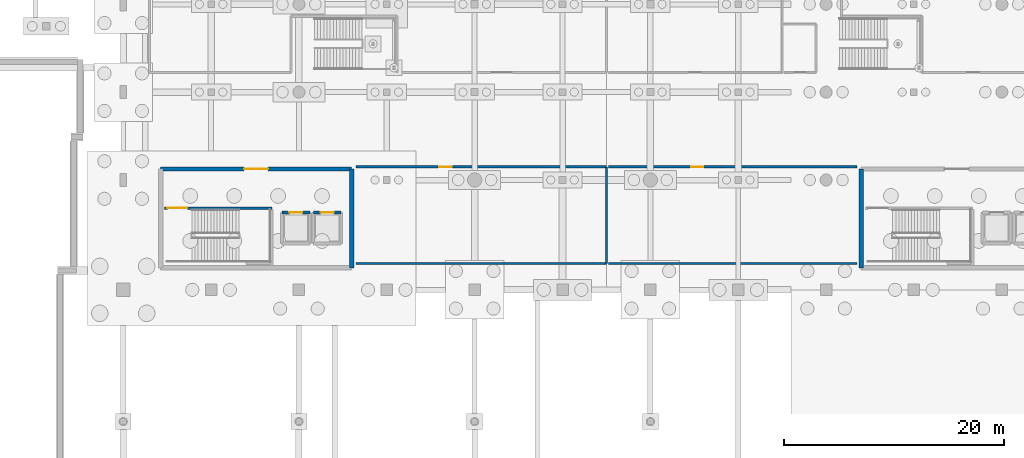
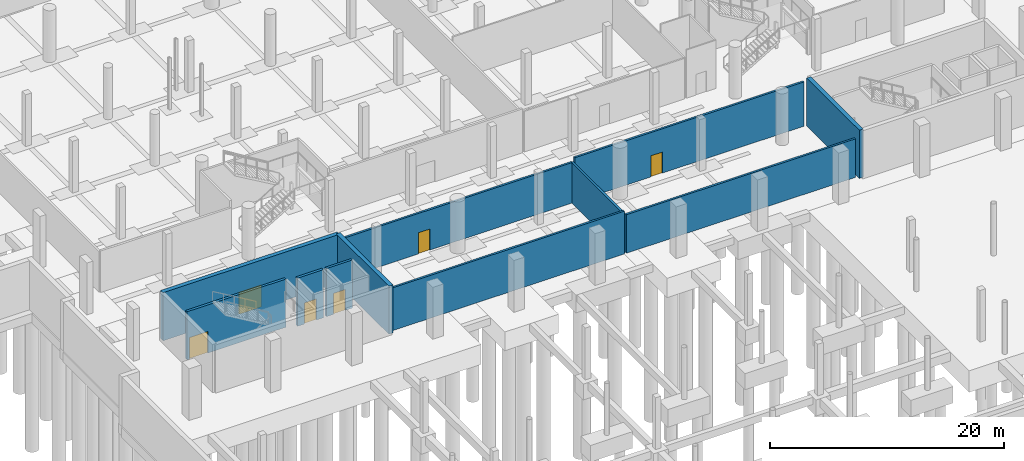
# One storey, part 49 of 65: 11 walls, 6 doors, 6 openings.
"""IFC4 building model written with IfcOpenShell, lengths in metres."""

from ifc_helpers import new_model, si_unit, direction, frame, frame_2d, origin, place, context, subcontext, project, spatial, rectangle, extrude, material, layer, layer_set, type_object, element, fill, save


model = new_model("IFC4")

# Units and contexts
model_context = context("Model", 3, precision=1e-05, world=origin(), true_north=direction((0.0, 1.0)))
body_context = subcontext(model_context, "Body", "Model", "MODEL_VIEW")
ifc_project = project(units=[si_unit("LENGTHUNIT", "METRE"), si_unit("AREAUNIT", "SQUARE_METRE"), si_unit("VOLUMEUNIT", "CUBIC_METRE"), si_unit("PLANEANGLEUNIT", "RADIAN"), si_unit("MASSUNIT", "GRAM", prefix="KILO")], contexts=[model_context])

# Site, building, storey
site_placement = place(None, origin())
site = spatial("IfcSite", under=ifc_project, at=site_placement, CompositionType="ELEMENT")
building_placement = place(site_placement, origin())
building = spatial("IfcBuilding", under=site, at=building_placement, Name="Khorjan Park Terminus", CompositionType="ELEMENT")
storey_placement = place(building_placement, frame((0.0, 0.0, -5.4)))
storey = spatial("IfcBuildingStorey", under=building, at=storey_placement, Name="B1", CompositionType="ELEMENT", Elevation=-5.4)

# Wall
ifc_material_1 = material(Name="Concrete C50/60", Category="concrete")
ifc_layer_1 = layer(ifc_material_1, 0.4)
ifc_layer_set_1 = layer_set([ifc_layer_1], Name="Concrete C50/60")
wall_type_1 = type_object("IfcWallType", Name="CW-40", PredefinedType="SHEAR", material=ifc_layer_set_1)
wall_1_placement = place(storey_placement, frame((68.8, 28.0, 0.0), z_axis=(0.0, 0.0, 1.0), x_axis=(0.0, 1.0, 0.0)))
element("IfcWall", 1, at=wall_1_placement, inside=storey, type_object=wall_type_1, Name="West Concourse Core concrete shear wall CW-40 (B1-E2)", PredefinedType="SHEAR", context=body_context, shape_type="SweptSolid", body=[
    extrude(rectangle(XDim=9.0, YDim=0.4, at=frame_2d((4.5, 0.0))), origin(), (0.0, 0.0, 1.0), 5.02),
])

# Wall, opening, door
wall_2_placement = place(storey_placement, frame((68.8, 37.0, 0.0), z_axis=(0.0, 0.0, 1.0), x_axis=(-1.0, 0.0, 0.0)))
wall_2 = element("IfcWall", 2, at=wall_2_placement, inside=storey, type_object=wall_type_1, Name="West Concourse Core concrete shear wall CW-40 (B1-E3)", PredefinedType="SHEAR", context=body_context, shape_type="SweptSolid", body=[
    extrude(rectangle(XDim=17.4, YDim=0.4, at=frame_2d((8.7, 0.0))), origin(), (0.0, 0.0, 1.0), 5.02),
])
opening_1_placement = place(wall_2_placement, frame((7.6, 0.0, 0.0)))
opening_1 = element("IfcOpeningElement", 3, at=opening_1_placement, cuts=wall_2, Name="Opening FD-22", PredefinedType="OPENING", context=body_context, shape_type="SweptSolid", body=[
    extrude(rectangle(XDim=2.2, YDim=2.3, at=frame_2d((1.1, 1.15))), frame((0.0, 0.21, 0.0), z_axis=(0.0, -1.0, 0.0), x_axis=(1.0, 0.0, 0.0)), (0.0, 0.0, 1.0), 0.42),
])
ifc_material_2 = material(Name="Fire-Rated Steel Double Door", Category="steel")
door_type_1 = type_object("IfcDoorType", Name="FD-22", OperationType="NOTDEFINED", PredefinedType="DOOR", material=ifc_material_2)
door_1_placement = place(opening_1_placement, origin())
door_1 = element("IfcDoor", 4, at=door_1_placement, inside=storey, type_object=door_type_1, Name="West Concourse Core fire-rated exit door FD-22 (B1)", OperationType="DOUBLE_DOOR_SINGLE_SWING", OverallHeight=2.3, OverallWidth=2.2, PredefinedType="DOOR", context=body_context, shape_type="SweptSolid", body=[
    extrude(rectangle(XDim=2.2, YDim=2.3, at=frame_2d((1.1, 1.15))), frame((0.0, 0.025, 0.0), z_axis=(0.0, -1.0, 0.0), x_axis=(1.0, 0.0, 0.0)), (0.0, 0.0, 1.0), 0.05),
])
fill(opening_1, door_1)

# Wall
wall_3_placement = place(storey_placement, frame((115.2, 37.0, 0.0), z_axis=(0.0, 0.0, 1.0), x_axis=(0.0, -1.0, 0.0)))
element("IfcWall", 5, at=wall_3_placement, inside=storey, type_object=wall_type_1, Name="East Concourse Core concrete shear wall CW-40 (B1-E4)", PredefinedType="SHEAR", context=body_context, shape_type="SweptSolid", body=[
    extrude(rectangle(XDim=9.0, YDim=0.4, at=frame_2d((4.5, 0.0))), origin(), (0.0, 0.0, 1.0), 5.02),
])

# Wall, opening, door
ifc_material_3 = material(Name="Fire-Rated Acoustic Masonry & Drywall", Category="masonry")
ifc_layer_2 = layer(ifc_material_3, 0.2)
ifc_layer_set_2 = layer_set([ifc_layer_2], Name="Fire-Rated Acoustic Masonry & Drywall")
wall_type_2 = type_object("IfcWallType", Name="PT-20", PredefinedType="PARTITIONING", material=ifc_layer_set_2)
wall_4_placement = place(storey_placement, frame((69.2, 37.2, 0.0), z_axis=(0.0, 0.0, 1.0), x_axis=(1.0, 0.0, 0.0)))
wall_4 = element("IfcWall", 6, at=wall_4_placement, inside=storey, type_object=wall_type_2, Name="Interior acoustic partition PT-20 (B1-PMP)", PredefinedType="PARTITIONING", context=body_context, shape_type="SweptSolid", body=[
    extrude(rectangle(XDim=22.8, YDim=0.2, at=frame_2d((11.4, 0.0))), origin(), (0.0, 0.0, 1.0), 4.215),
])
opening_2_placement = place(wall_4_placement, frame((7.595, 0.0, 0.0)))
opening_2 = element("IfcOpeningElement", 7, at=opening_2_placement, cuts=wall_4, Name="Opening FD-11", PredefinedType="OPENING", context=body_context, shape_type="SweptSolid", body=[
    extrude(rectangle(XDim=1.1, YDim=2.2, at=frame_2d((0.55, 1.1))), frame((0.0, 0.11, 0.0), z_axis=(0.0, -1.0, 0.0), x_axis=(1.0, 0.0, 0.0)), (0.0, 0.0, 1.0), 0.22),
])
ifc_material_4 = material(Name="Fire-Rated Steel Single Door", Category="steel")
door_type_2 = type_object("IfcDoorType", Name="FD-11", OperationType="NOTDEFINED", PredefinedType="DOOR", material=ifc_material_4)
door_2_placement = place(opening_2_placement, origin())
door_2 = element("IfcDoor", 8, at=door_2_placement, inside=storey, type_object=door_type_2, Name="Interior door FD-11 (B1-PMP)", OperationType="SINGLE_SWING_RIGHT", OverallHeight=2.2, OverallWidth=1.1, PredefinedType="DOOR", context=body_context, shape_type="SweptSolid", body=[
    extrude(rectangle(XDim=1.1, YDim=2.2, at=frame_2d((0.55, 1.1))), frame((0.0, 0.025, 0.0), z_axis=(0.0, -1.0, 0.0), x_axis=(1.0, 0.0, 0.0)), (0.0, 0.0, 1.0), 0.05),
])
fill(opening_2, door_2)

# Walls
wall_5_placement = place(storey_placement, frame((92.0, 37.2, 0.0), z_axis=(0.0, 0.0, 1.0), x_axis=(0.0, -1.0, 0.0)))
element("IfcWall", 9, at=wall_5_placement, inside=storey, type_object=wall_type_2, Name="Interior acoustic partition PT-20 (B1-PMP)", PredefinedType="PARTITIONING", context=body_context, shape_type="SweptSolid", body=[
    extrude(rectangle(XDim=8.8, YDim=0.2, at=frame_2d((4.4, 0.0))), origin(), (0.0, 0.0, 1.0), 4.215),
])
wall_6_placement = place(storey_placement, frame((92.0, 28.4, 0.0), z_axis=(0.0, 0.0, 1.0), x_axis=(-1.0, 0.0, 0.0)))
element("IfcWall", 10, at=wall_6_placement, inside=storey, type_object=wall_type_2, Name="Interior acoustic partition PT-20 (B1-PMP)", PredefinedType="PARTITIONING", context=body_context, shape_type="SweptSolid", body=[
    extrude(rectangle(XDim=22.8, YDim=0.2, at=frame_2d((11.4, 0.0))), origin(), (0.0, 0.0, 1.0), 4.465),
])

# Wall, opening, door
wall_7_placement = place(storey_placement, frame((92.2, 37.2, 0.0), z_axis=(0.0, 0.0, 1.0), x_axis=(1.0, 0.0, 0.0)))
wall_7 = element("IfcWall", 11, at=wall_7_placement, inside=storey, type_object=wall_type_2, Name="Interior acoustic partition PT-20 (B1-SUB)", PredefinedType="PARTITIONING", context=body_context, shape_type="SweptSolid", body=[
    extrude(rectangle(XDim=22.6, YDim=0.2, at=frame_2d((11.3, 0.0))), origin(), (0.0, 0.0, 1.0), 4.625),
])
opening_3_placement = place(wall_7_placement, frame((7.525, 0.0, 0.0)))
opening_3 = element("IfcOpeningElement", 12, at=opening_3_placement, cuts=wall_7, Name="Opening FD-11", PredefinedType="OPENING", context=body_context, shape_type="SweptSolid", body=[
    extrude(rectangle(XDim=1.1, YDim=2.2, at=frame_2d((0.55, 1.1))), frame((0.0, 0.11, 0.0), z_axis=(0.0, -1.0, 0.0), x_axis=(1.0, 0.0, 0.0)), (0.0, 0.0, 1.0), 0.22),
])
door_3_placement = place(opening_3_placement, origin())
door_3 = element("IfcDoor", 13, at=door_3_placement, inside=storey, type_object=door_type_2, Name="Interior door FD-11 (B1-SUB)", OperationType="SINGLE_SWING_LEFT", OverallHeight=2.2, OverallWidth=1.1, PredefinedType="DOOR", context=body_context, shape_type="SweptSolid", body=[
    extrude(rectangle(XDim=1.1, YDim=2.2, at=frame_2d((0.55, 1.1))), frame((0.0, 0.025, 0.0), z_axis=(0.0, -1.0, 0.0), x_axis=(1.0, 0.0, 0.0)), (0.0, 0.0, 1.0), 0.05),
])
fill(opening_3, door_3)

# Wall
wall_8_placement = place(storey_placement, frame((114.8, 28.4, 0.0), z_axis=(0.0, 0.0, 1.0), x_axis=(-1.0, 0.0, 0.0)))
element("IfcWall", 14, at=wall_8_placement, inside=storey, type_object=wall_type_2, Name="Interior acoustic partition PT-20 (B1-SUB)", PredefinedType="PARTITIONING", context=body_context, shape_type="SweptSolid", body=[
    extrude(rectangle(XDim=22.6, YDim=0.2, at=frame_2d((11.3, 0.0))), origin(), (0.0, 0.0, 1.0), 4.025),
])

# Wall, opening, door
ifc_material_5 = material(Name="Concrete C40/50", Category="concrete")
ifc_layer_3 = layer(ifc_material_5, 0.25)
ifc_layer_set_3 = layer_set([ifc_layer_3], Name="Concrete C40/50")
wall_type_3 = type_object("IfcWallType", Name="SW-25", PredefinedType="SOLIDWALL", material=ifc_layer_set_3)
wall_9_placement = place(storey_placement, frame((64.99, 33.05, 0.0), z_axis=(0.0, 0.0, 1.0), x_axis=(-1.0, 0.0, 0.0)))
wall_9 = element("IfcWall", 15, at=wall_9_placement, inside=storey, type_object=wall_type_3, Name="Lift L01 concrete shaft wall SW-25 (B1-3)", PredefinedType="SOLIDWALL", context=body_context, shape_type="SweptSolid", body=[
    extrude(rectangle(XDim=2.54, YDim=0.25, at=frame_2d((1.27, 0.0))), origin(), (0.0, 0.0, 1.0), 5.02),
])
opening_4_placement = place(wall_9_placement, frame((0.67, 0.0, 0.0)))
opening_4 = element("IfcOpeningElement", 16, at=opening_4_placement, cuts=wall_9, Name="Opening LD-12", PredefinedType="OPENING", context=body_context, shape_type="SweptSolid", body=[
    extrude(rectangle(XDim=1.2, YDim=2.2, at=frame_2d((0.6, 1.1))), frame((0.0, 0.135, 0.0), z_axis=(0.0, -1.0, 0.0), x_axis=(1.0, 0.0, 0.0)), (0.0, 0.0, 1.0), 0.27),
])
ifc_material_6 = material(Name="Stainless-Steel Lift Landing Sliding Door", Category="steel")
door_type_3 = type_object("IfcDoorType", Name="LD-12", OperationType="NOTDEFINED", PredefinedType="DOOR", material=ifc_material_6)
door_4_placement = place(opening_4_placement, origin())
door_4 = element("IfcDoor", 17, at=door_4_placement, inside=storey, type_object=door_type_3, Name="Lift L01 sliding landing door LD-12 (B1)", OperationType="SLIDING_TO_LEFT", OverallHeight=2.2, OverallWidth=1.2, PredefinedType="DOOR", context=body_context, shape_type="SweptSolid", body=[
    extrude(rectangle(XDim=1.2, YDim=2.2, at=frame_2d((0.6, 1.1))), frame((0.0, 0.025, 0.0), z_axis=(0.0, -1.0, 0.0), x_axis=(1.0, 0.0, 0.0)), (0.0, 0.0, 1.0), 0.05),
])
fill(opening_4, door_4)

wall_10_placement = place(storey_placement, frame((67.85, 33.05, 0.0), z_axis=(0.0, 0.0, 1.0), x_axis=(-1.0, 0.0, 0.0)))
wall_10 = element("IfcWall", 18, at=wall_10_placement, inside=storey, type_object=wall_type_3, Name="Lift L02 concrete shaft wall SW-25 (B1-3)", PredefinedType="SOLIDWALL", context=body_context, shape_type="SweptSolid", body=[
    extrude(rectangle(XDim=2.54, YDim=0.25, at=frame_2d((1.27, 0.0))), origin(), (0.0, 0.0, 1.0), 5.02),
])
opening_5_placement = place(wall_10_placement, frame((0.67, 0.0, 0.0)))
opening_5 = element("IfcOpeningElement", 19, at=opening_5_placement, cuts=wall_10, Name="Opening LD-12", PredefinedType="OPENING", context=body_context, shape_type="SweptSolid", body=[
    extrude(rectangle(XDim=1.2, YDim=2.2, at=frame_2d((0.6, 1.1))), frame((0.0, 0.135, 0.0), z_axis=(0.0, -1.0, 0.0), x_axis=(1.0, 0.0, 0.0)), (0.0, 0.0, 1.0), 0.27),
])
door_5_placement = place(opening_5_placement, origin())
door_5 = element("IfcDoor", 20, at=door_5_placement, inside=storey, type_object=door_type_3, Name="Lift L02 sliding landing door LD-12 (B1)", OperationType="SLIDING_TO_RIGHT", OverallHeight=2.2, OverallWidth=1.2, PredefinedType="DOOR", context=body_context, shape_type="SweptSolid", body=[
    extrude(rectangle(XDim=1.2, YDim=2.2, at=frame_2d((0.6, 1.1))), frame((0.0, 0.025, 0.0), z_axis=(0.0, -1.0, 0.0), x_axis=(1.0, 0.0, 0.0)), (0.0, 0.0, 1.0), 0.05),
])
fill(opening_5, door_5)

wall_11_placement = place(storey_placement, frame((51.78, 33.435, 0.0), z_axis=(0.0, 0.0, 1.0), x_axis=(1.0, 0.0, 0.0)))
wall_11 = element("IfcWall", 21, at=wall_11_placement, inside=storey, type_object=wall_type_3, Name="West Concourse Core structural stairwell wall SW-25 (B1)", PredefinedType="SOLIDWALL", context=body_context, shape_type="SweptSolid", body=[
    extrude(rectangle(XDim=9.745, YDim=0.25, at=frame_2d((4.8725, 0.0))), origin(), (0.0, 0.0, 1.0), 5.02),
])
opening_6_placement = place(wall_11_placement, frame((0.25, 0.0, 0.0)))
opening_6 = element("IfcOpeningElement", 22, at=opening_6_placement, cuts=wall_11, Name="Opening FD-18", PredefinedType="OPENING", context=body_context, shape_type="SweptSolid", body=[
    extrude(rectangle(XDim=1.8, YDim=2.25, at=frame_2d((0.9, 1.125))), frame((0.0, 0.135, 0.0), z_axis=(0.0, -1.0, 0.0), x_axis=(1.0, 0.0, 0.0)), (0.0, 0.0, 1.0), 0.27),
])
door_type_4 = type_object("IfcDoorType", Name="FD-18", OperationType="NOTDEFINED", PredefinedType="DOOR", material=ifc_material_2)
door_6_placement = place(opening_6_placement, origin())
door_6 = element("IfcDoor", 23, at=door_6_placement, inside=storey, type_object=door_type_4, Name="West Concourse Core stairwell fire door FD-18 (B1)", OperationType="DOUBLE_DOOR_SINGLE_SWING", OverallHeight=2.25, OverallWidth=1.8, PredefinedType="DOOR", context=body_context, shape_type="SweptSolid", body=[
    extrude(rectangle(XDim=1.8, YDim=2.25, at=frame_2d((0.9, 1.125))), frame((0.0, 0.025, 0.0), z_axis=(0.0, -1.0, 0.0), x_axis=(1.0, 0.0, 0.0)), (0.0, 0.0, 1.0), 0.05),
])
fill(opening_6, door_6)

save(model, "model.ifc")
